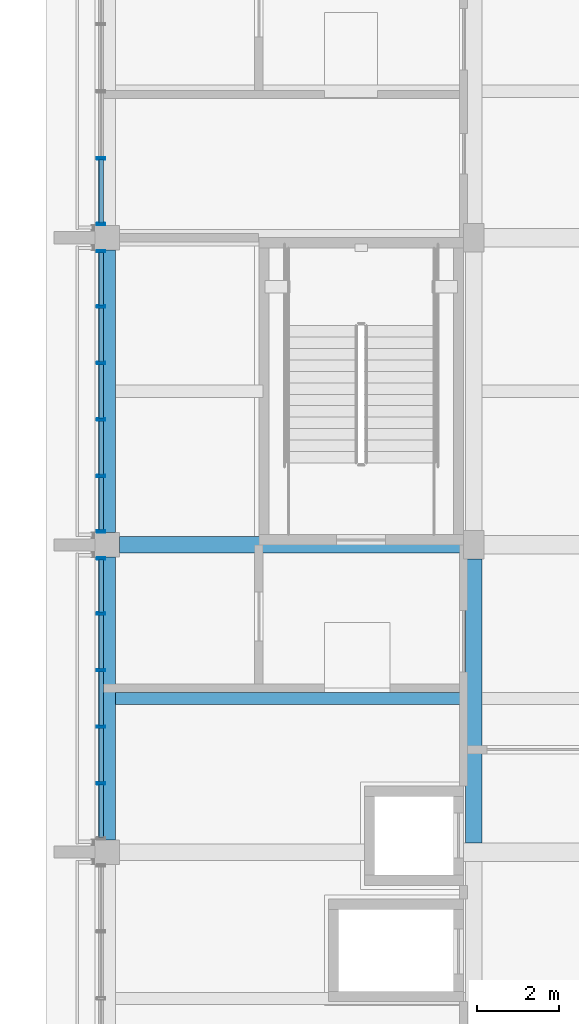
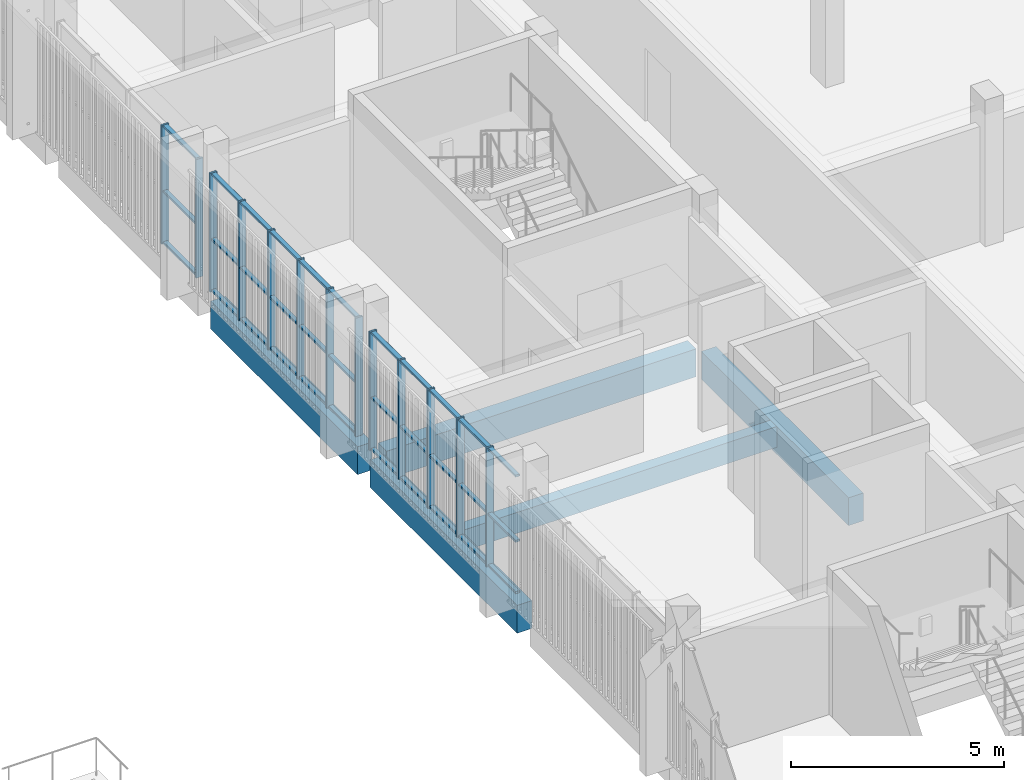
# One storey, part 26 of 98: 46 members, 5 beams, 3 elements without a shape of their own.
"""IFC4 building model written with IfcOpenShell, lengths in metres."""

from ifc_helpers import new_model, si_unit, direction, frame, origin, origin_2d, place, context, subcontext, project, spatial, rectangle, hollow_rectangle, extrude, material, material_profile, profile_set, type_object, element, aggregate, save


model = new_model("IFC4")

# Units and contexts
model_context = context("Model", 3, precision=1e-05, world=origin(), true_north=direction((0.0, 1.0)))
body_context = subcontext(model_context, "Body", "Model", "MODEL_VIEW")
ifc_project = project(units=[si_unit("LENGTHUNIT", "METRE"), si_unit("AREAUNIT", "SQUARE_METRE"), si_unit("VOLUMEUNIT", "CUBIC_METRE"), si_unit("PLANEANGLEUNIT", "RADIAN"), si_unit("MASSUNIT", "GRAM", prefix="KILO")], contexts=[model_context])

# Site, building, storey
site_placement = place(None, origin())
site = spatial("IfcSite", under=ifc_project, at=site_placement, CompositionType="ELEMENT")
building_placement = place(site_placement, origin())
building = spatial("IfcBuilding", under=site, at=building_placement, Name="Sun Court Science Centre", CompositionType="ELEMENT")
storey_placement = place(building_placement, frame((0.0, 0.0, 15.75)))
storey = spatial("IfcBuildingStorey", under=building, at=storey_placement, Name="L03", CompositionType="ELEMENT", Elevation=15.75)

# Curtain wall, members
ifc_material_1 = material(Name="Aluminium EN AW-6063 T6", Category="aluminium")
curtain_wall_type = type_object("IfcCurtainWallType", Name="Laboratory tall bay curtain wall 1500", PredefinedType="NOTDEFINED", material=ifc_material_1)
curtain_wall_1_placement = place(storey_placement, origin())
curtain_wall_1 = element("IfcCurtainWall", 1, at=curtain_wall_1_placement, inside=storey, type_object=curtain_wall_type, Name="Curtain wall V4 W L03 06", PredefinedType="NOTDEFINED")
ifc_material_2 = material(Name="Aluminium EN AW-6063 T6", Category="aluminium")
ifc_material_profile_1 = material_profile(ifc_material_2, hollow_rectangle(XDim=0.06005859375, YDim=0.199951171875, WallThickness=0.0048828125, InnerFilletRadius=0.0048828125, OuterFilletRadius=0.007568359375, at=origin_2d()), Name="AL 60x200x5")
ifc_profile_set_1 = profile_set([ifc_material_profile_1], Name="Aluminium EN AW-6063 T6")
member_type_1 = type_object("IfcMemberType", Name="Curtain wall mullion AL 60x200", PredefinedType="MULLION", material=ifc_profile_set_1)
member_1_placement = place(storey_placement, frame((78.14990234375, 52.679931640625, 0.0), z_axis=(0.0, 0.0, 1.0), x_axis=(0.0, 1.0, 0.0)))
member_1 = element("IfcMember", 2, at=member_1_placement, type_object=member_type_1, Name="CW2-33 mullion 2", PredefinedType="MULLION", context=body_context, shape_type="SweptSolid", body=[
    extrude(hollow_rectangle(XDim=0.06005859375, YDim=0.199951171875, WallThickness=0.0048828125, InnerFilletRadius=0.0048828125, OuterFilletRadius=0.007568359375, at=origin_2d()), origin(), (0.0, 0.0, 1.0), 3.39990234375),
])
member_2_placement = place(storey_placement, frame((78.14990234375, 54.06005859375, 0.0), z_axis=(0.0, 0.0, 1.0), x_axis=(0.0, 1.0, 0.0)))
member_2 = element("IfcMember", 3, at=member_2_placement, type_object=member_type_1, Name="CW2-33 mullion 3", PredefinedType="MULLION", context=body_context, shape_type="SweptSolid", body=[
    extrude(hollow_rectangle(XDim=0.06005859375, YDim=0.199951171875, WallThickness=0.0048828125, InnerFilletRadius=0.0048828125, OuterFilletRadius=0.007568359375, at=origin_2d()), origin(), (0.0, 0.0, 1.0), 3.39990234375),
])
member_3_placement = place(storey_placement, frame((78.14990234375, 55.43994140625, 0.0), z_axis=(0.0, 0.0, 1.0), x_axis=(0.0, 1.0, 0.0)))
member_3 = element("IfcMember", 4, at=member_3_placement, type_object=member_type_1, Name="CW2-33 mullion 4", PredefinedType="MULLION", context=body_context, shape_type="SweptSolid", body=[
    extrude(hollow_rectangle(XDim=0.06005859375, YDim=0.199951171875, WallThickness=0.0048828125, InnerFilletRadius=0.0048828125, OuterFilletRadius=0.007568359375, at=origin_2d()), origin(), (0.0, 0.0, 1.0), 3.39990234375),
])
member_4_placement = place(storey_placement, frame((78.14990234375, 56.820068359375, 0.0), z_axis=(0.0, 0.0, 1.0), x_axis=(0.0, 1.0, 0.0)))
member_4 = element("IfcMember", 5, at=member_4_placement, type_object=member_type_1, Name="CW2-33 mullion 5", PredefinedType="MULLION", context=body_context, shape_type="SweptSolid", body=[
    extrude(hollow_rectangle(XDim=0.06005859375, YDim=0.199951171875, WallThickness=0.0048828125, InnerFilletRadius=0.0048828125, OuterFilletRadius=0.007568359375, at=origin_2d()), origin(), (0.0, 0.0, 1.0), 3.39990234375),
])
member_5_placement = place(storey_placement, frame((78.14990234375, 58.169921875, 0.0), z_axis=(0.0, 0.0, 1.0), x_axis=(0.0, 1.0, 0.0)))
member_5 = element("IfcMember", 6, at=member_5_placement, type_object=member_type_1, Name="CW2-33 mullion 6", PredefinedType="MULLION", context=body_context, shape_type="SweptSolid", body=[
    extrude(hollow_rectangle(XDim=0.06005859375, YDim=0.199951171875, WallThickness=0.0048828125, InnerFilletRadius=0.0048828125, OuterFilletRadius=0.007568359375, at=origin_2d()), origin(), (0.0, 0.0, 1.0), 3.39990234375),
])

curtain_wall_2_placement = place(storey_placement, origin())
curtain_wall_2 = element("IfcCurtainWall", 7, at=curtain_wall_2_placement, inside=storey, type_object=curtain_wall_type, Name="Curtain wall V4 W L03 07", PredefinedType="NOTDEFINED")
member_6_placement = place(storey_placement, frame((78.14990234375, 58.830078125, 0.0), z_axis=(0.0, 0.0, 1.0), x_axis=(0.0, 1.0, 0.0)))
member_6 = element("IfcMember", 8, at=member_6_placement, type_object=member_type_1, Name="CW2-34 mullion 1", PredefinedType="MULLION", context=body_context, shape_type="SweptSolid", body=[
    extrude(hollow_rectangle(XDim=0.06005859375, YDim=0.199951171875, WallThickness=0.0048828125, InnerFilletRadius=0.0048828125, OuterFilletRadius=0.007568359375, at=origin_2d()), origin(), (0.0, 0.0, 1.0), 3.39990234375),
])
member_7_placement = place(storey_placement, frame((78.14990234375, 60.179931640625, 0.0), z_axis=(0.0, 0.0, 1.0), x_axis=(0.0, 1.0, 0.0)))
member_7 = element("IfcMember", 9, at=member_7_placement, type_object=member_type_1, Name="CW2-34 mullion 2", PredefinedType="MULLION", context=body_context, shape_type="SweptSolid", body=[
    extrude(hollow_rectangle(XDim=0.06005859375, YDim=0.199951171875, WallThickness=0.0048828125, InnerFilletRadius=0.0048828125, OuterFilletRadius=0.007568359375, at=origin_2d()), origin(), (0.0, 0.0, 1.0), 3.39990234375),
])
member_8_placement = place(storey_placement, frame((78.14990234375, 61.56005859375, 0.0), z_axis=(0.0, 0.0, 1.0), x_axis=(0.0, 1.0, 0.0)))
member_8 = element("IfcMember", 10, at=member_8_placement, type_object=member_type_1, Name="CW2-34 mullion 3", PredefinedType="MULLION", context=body_context, shape_type="SweptSolid", body=[
    extrude(hollow_rectangle(XDim=0.06005859375, YDim=0.199951171875, WallThickness=0.0048828125, InnerFilletRadius=0.0048828125, OuterFilletRadius=0.007568359375, at=origin_2d()), origin(), (0.0, 0.0, 1.0), 3.39990234375),
])
member_9_placement = place(storey_placement, frame((78.14990234375, 62.93994140625, 0.0), z_axis=(0.0, 0.0, 1.0), x_axis=(0.0, 1.0, 0.0)))
member_9 = element("IfcMember", 11, at=member_9_placement, type_object=member_type_1, Name="CW2-34 mullion 4", PredefinedType="MULLION", context=body_context, shape_type="SweptSolid", body=[
    extrude(hollow_rectangle(XDim=0.06005859375, YDim=0.199951171875, WallThickness=0.0048828125, InnerFilletRadius=0.0048828125, OuterFilletRadius=0.007568359375, at=origin_2d()), origin(), (0.0, 0.0, 1.0), 3.39990234375),
])
member_10_placement = place(storey_placement, frame((78.14990234375, 64.320068359375, 0.0), z_axis=(0.0, 0.0, 1.0), x_axis=(0.0, 1.0, 0.0)))
member_10 = element("IfcMember", 12, at=member_10_placement, type_object=member_type_1, Name="CW2-34 mullion 5", PredefinedType="MULLION", context=body_context, shape_type="SweptSolid", body=[
    extrude(hollow_rectangle(XDim=0.06005859375, YDim=0.199951171875, WallThickness=0.0048828125, InnerFilletRadius=0.0048828125, OuterFilletRadius=0.007568359375, at=origin_2d()), origin(), (0.0, 0.0, 1.0), 3.39990234375),
])
member_11_placement = place(storey_placement, frame((78.14990234375, 65.669921875, 0.0), z_axis=(0.0, 0.0, 1.0), x_axis=(0.0, 1.0, 0.0)))
member_11 = element("IfcMember", 13, at=member_11_placement, type_object=member_type_1, Name="CW2-34 mullion 6", PredefinedType="MULLION", context=body_context, shape_type="SweptSolid", body=[
    extrude(hollow_rectangle(XDim=0.06005859375, YDim=0.199951171875, WallThickness=0.0048828125, InnerFilletRadius=0.0048828125, OuterFilletRadius=0.007568359375, at=origin_2d()), origin(), (0.0, 0.0, 1.0), 3.39990234375),
])

curtain_wall_3_placement = place(storey_placement, origin())
curtain_wall_3 = element("IfcCurtainWall", 14, at=curtain_wall_3_placement, inside=storey, type_object=curtain_wall_type, Name="Curtain wall V4 W L03 08", PredefinedType="NOTDEFINED")
member_12_placement = place(storey_placement, frame((78.14990234375, 66.330078125, 0.0), z_axis=(0.0, 0.0, 1.0), x_axis=(0.0, 1.0, 0.0)))
member_12 = element("IfcMember", 15, at=member_12_placement, type_object=member_type_1, Name="CW2-35 mullion 1", PredefinedType="MULLION", context=body_context, shape_type="SweptSolid", body=[
    extrude(hollow_rectangle(XDim=0.06005859375, YDim=0.199951171875, WallThickness=0.0048828125, InnerFilletRadius=0.0048828125, OuterFilletRadius=0.007568359375, at=origin_2d()), origin(), (0.0, 0.0, 1.0), 3.39990234375),
])
member_13_placement = place(storey_placement, frame((78.14990234375, 67.9375, 0.0), z_axis=(0.0, 0.0, 1.0), x_axis=(0.0, 1.0, 0.0)))
member_13 = element("IfcMember", 16, at=member_13_placement, type_object=member_type_1, Name="CW2-35 mullion 2", PredefinedType="MULLION", context=body_context, shape_type="SweptSolid", body=[
    extrude(hollow_rectangle(XDim=0.06005859375, YDim=0.199951171875, WallThickness=0.0048828125, InnerFilletRadius=0.0048828125, OuterFilletRadius=0.007568359375, at=origin_2d()), origin(), (0.0, 0.0, 1.0), 3.39990234375),
])

# Member
ifc_material_3 = material(Name="Aluminium EN AW-6063 T6", Category="aluminium")
ifc_material_profile_2 = material_profile(ifc_material_3, hollow_rectangle(XDim=0.06005859375, YDim=0.1201171875, WallThickness=0.00390625, InnerFilletRadius=0.00390625, OuterFilletRadius=0.006103515625, at=origin_2d()), Name="AL 60x120x4")
ifc_profile_set_2 = profile_set([ifc_material_profile_2], Name="Aluminium EN AW-6063 T6")
member_type_2 = type_object("IfcMemberType", Name="Curtain wall transom AL 60x120", PredefinedType="USERDEFINED", material=ifc_profile_set_2)
member_14_placement = place(storey_placement, frame((78.14990234375, 51.360107421875, 0.030029296875), z_axis=(0.0, 1.0, 0.0), x_axis=(0.0, 0.0, 1.0)))
member_14 = element("IfcMember", 17, at=member_14_placement, type_object=member_type_2, Name="CW2-33 transom 1.1", ObjectType="TRANSOM", PredefinedType="USERDEFINED", context=body_context, shape_type="SweptSolid", body=[
    extrude(hollow_rectangle(XDim=0.06005859375, YDim=0.1201171875, WallThickness=0.00390625, InnerFilletRadius=0.00390625, OuterFilletRadius=0.006103515625, at=origin_2d()), origin(), (0.0, 0.0, 1.0), 1.289794921875),
])

member_15_placement = place(storey_placement, frame((78.14990234375, 52.7099609375, 0.030029296875), z_axis=(0.0, 1.0, 0.0), x_axis=(0.0, 0.0, 1.0)))
member_15 = element("IfcMember", 18, at=member_15_placement, type_object=member_type_2, Name="CW2-33 transom 2.1", ObjectType="TRANSOM", PredefinedType="USERDEFINED", context=body_context, shape_type="SweptSolid", body=[
    extrude(hollow_rectangle(XDim=0.06005859375, YDim=0.1201171875, WallThickness=0.00390625, InnerFilletRadius=0.00390625, OuterFilletRadius=0.006103515625, at=origin_2d()), origin(), (0.0, 0.0, 1.0), 1.320068359375),
])

member_16_placement = place(storey_placement, frame((78.14990234375, 54.090087890625, 0.030029296875), z_axis=(0.0, 1.0, 0.0), x_axis=(0.0, 0.0, 1.0)))
member_16 = element("IfcMember", 19, at=member_16_placement, type_object=member_type_2, Name="CW2-33 transom 3.1", ObjectType="TRANSOM", PredefinedType="USERDEFINED", context=body_context, shape_type="SweptSolid", body=[
    extrude(hollow_rectangle(XDim=0.06005859375, YDim=0.1201171875, WallThickness=0.00390625, InnerFilletRadius=0.00390625, OuterFilletRadius=0.006103515625, at=origin_2d()), origin(), (0.0, 0.0, 1.0), 1.31982421875),
])

member_17_placement = place(storey_placement, frame((78.14990234375, 55.469970703125, 0.030029296875), z_axis=(0.0, 1.0, 0.0), x_axis=(0.0, 0.0, 1.0)))
member_17 = element("IfcMember", 20, at=member_17_placement, type_object=member_type_2, Name="CW2-33 transom 4.1", ObjectType="TRANSOM", PredefinedType="USERDEFINED", context=body_context, shape_type="SweptSolid", body=[
    extrude(hollow_rectangle(XDim=0.06005859375, YDim=0.1201171875, WallThickness=0.00390625, InnerFilletRadius=0.00390625, OuterFilletRadius=0.006103515625, at=origin_2d()), origin(), (0.0, 0.0, 1.0), 1.320068359375),
])

member_18_placement = place(storey_placement, frame((78.14990234375, 56.85009765625, 0.030029296875), z_axis=(0.0, 1.0, 0.0), x_axis=(0.0, 0.0, 1.0)))
member_18 = element("IfcMember", 21, at=member_18_placement, type_object=member_type_2, Name="CW2-33 transom 5.1", ObjectType="TRANSOM", PredefinedType="USERDEFINED", context=body_context, shape_type="SweptSolid", body=[
    extrude(hollow_rectangle(XDim=0.06005859375, YDim=0.1201171875, WallThickness=0.00390625, InnerFilletRadius=0.00390625, OuterFilletRadius=0.006103515625, at=origin_2d()), origin(), (0.0, 0.0, 1.0), 1.289794921875),
])

member_19_placement = place(storey_placement, frame((78.14990234375, 51.360107421875, 1.5), z_axis=(0.0, 1.0, 0.0), x_axis=(0.0, 0.0, 1.0)))
member_19 = element("IfcMember", 22, at=member_19_placement, type_object=member_type_2, Name="CW2-33 transom 1.2", ObjectType="TRANSOM", PredefinedType="USERDEFINED", context=body_context, shape_type="SweptSolid", body=[
    extrude(hollow_rectangle(XDim=0.06005859375, YDim=0.1201171875, WallThickness=0.00390625, InnerFilletRadius=0.00390625, OuterFilletRadius=0.006103515625, at=origin_2d()), origin(), (0.0, 0.0, 1.0), 1.289794921875),
])

member_20_placement = place(storey_placement, frame((78.14990234375, 52.7099609375, 1.5), z_axis=(0.0, 1.0, 0.0), x_axis=(0.0, 0.0, 1.0)))
member_20 = element("IfcMember", 23, at=member_20_placement, type_object=member_type_2, Name="CW2-33 transom 2.2", ObjectType="TRANSOM", PredefinedType="USERDEFINED", context=body_context, shape_type="SweptSolid", body=[
    extrude(hollow_rectangle(XDim=0.06005859375, YDim=0.1201171875, WallThickness=0.00390625, InnerFilletRadius=0.00390625, OuterFilletRadius=0.006103515625, at=origin_2d()), origin(), (0.0, 0.0, 1.0), 1.320068359375),
])

member_21_placement = place(storey_placement, frame((78.14990234375, 54.090087890625, 1.5), z_axis=(0.0, 1.0, 0.0), x_axis=(0.0, 0.0, 1.0)))
member_21 = element("IfcMember", 24, at=member_21_placement, type_object=member_type_2, Name="CW2-33 transom 3.2", ObjectType="TRANSOM", PredefinedType="USERDEFINED", context=body_context, shape_type="SweptSolid", body=[
    extrude(hollow_rectangle(XDim=0.06005859375, YDim=0.1201171875, WallThickness=0.00390625, InnerFilletRadius=0.00390625, OuterFilletRadius=0.006103515625, at=origin_2d()), origin(), (0.0, 0.0, 1.0), 1.31982421875),
])

member_22_placement = place(storey_placement, frame((78.14990234375, 55.469970703125, 1.5), z_axis=(0.0, 1.0, 0.0), x_axis=(0.0, 0.0, 1.0)))
member_22 = element("IfcMember", 25, at=member_22_placement, type_object=member_type_2, Name="CW2-33 transom 4.2", ObjectType="TRANSOM", PredefinedType="USERDEFINED", context=body_context, shape_type="SweptSolid", body=[
    extrude(hollow_rectangle(XDim=0.06005859375, YDim=0.1201171875, WallThickness=0.00390625, InnerFilletRadius=0.00390625, OuterFilletRadius=0.006103515625, at=origin_2d()), origin(), (0.0, 0.0, 1.0), 1.320068359375),
])

member_23_placement = place(storey_placement, frame((78.14990234375, 56.85009765625, 1.5), z_axis=(0.0, 1.0, 0.0), x_axis=(0.0, 0.0, 1.0)))
member_23 = element("IfcMember", 26, at=member_23_placement, type_object=member_type_2, Name="CW2-33 transom 5.2", ObjectType="TRANSOM", PredefinedType="USERDEFINED", context=body_context, shape_type="SweptSolid", body=[
    extrude(hollow_rectangle(XDim=0.06005859375, YDim=0.1201171875, WallThickness=0.00390625, InnerFilletRadius=0.00390625, OuterFilletRadius=0.006103515625, at=origin_2d()), origin(), (0.0, 0.0, 1.0), 1.289794921875),
])

member_24_placement = place(storey_placement, frame((78.14990234375, 51.360107421875, 3.3701171875), z_axis=(0.0, 1.0, 0.0), x_axis=(0.0, 0.0, 1.0)))
member_24 = element("IfcMember", 27, at=member_24_placement, type_object=member_type_2, Name="CW2-33 transom 1.3", ObjectType="TRANSOM", PredefinedType="USERDEFINED", context=body_context, shape_type="SweptSolid", body=[
    extrude(hollow_rectangle(XDim=0.06005859375, YDim=0.1201171875, WallThickness=0.00390625, InnerFilletRadius=0.00390625, OuterFilletRadius=0.006103515625, at=origin_2d()), origin(), (0.0, 0.0, 1.0), 1.289794921875),
])

member_25_placement = place(storey_placement, frame((78.14990234375, 52.7099609375, 3.3701171875), z_axis=(0.0, 1.0, 0.0), x_axis=(0.0, 0.0, 1.0)))
member_25 = element("IfcMember", 28, at=member_25_placement, type_object=member_type_2, Name="CW2-33 transom 2.3", ObjectType="TRANSOM", PredefinedType="USERDEFINED", context=body_context, shape_type="SweptSolid", body=[
    extrude(hollow_rectangle(XDim=0.06005859375, YDim=0.1201171875, WallThickness=0.00390625, InnerFilletRadius=0.00390625, OuterFilletRadius=0.006103515625, at=origin_2d()), origin(), (0.0, 0.0, 1.0), 1.320068359375),
])

member_26_placement = place(storey_placement, frame((78.14990234375, 54.090087890625, 3.3701171875), z_axis=(0.0, 1.0, 0.0), x_axis=(0.0, 0.0, 1.0)))
member_26 = element("IfcMember", 29, at=member_26_placement, type_object=member_type_2, Name="CW2-33 transom 3.3", ObjectType="TRANSOM", PredefinedType="USERDEFINED", context=body_context, shape_type="SweptSolid", body=[
    extrude(hollow_rectangle(XDim=0.06005859375, YDim=0.1201171875, WallThickness=0.00390625, InnerFilletRadius=0.00390625, OuterFilletRadius=0.006103515625, at=origin_2d()), origin(), (0.0, 0.0, 1.0), 1.31982421875),
])

member_27_placement = place(storey_placement, frame((78.14990234375, 55.469970703125, 3.3701171875), z_axis=(0.0, 1.0, 0.0), x_axis=(0.0, 0.0, 1.0)))
member_27 = element("IfcMember", 30, at=member_27_placement, type_object=member_type_2, Name="CW2-33 transom 4.3", ObjectType="TRANSOM", PredefinedType="USERDEFINED", context=body_context, shape_type="SweptSolid", body=[
    extrude(hollow_rectangle(XDim=0.06005859375, YDim=0.1201171875, WallThickness=0.00390625, InnerFilletRadius=0.00390625, OuterFilletRadius=0.006103515625, at=origin_2d()), origin(), (0.0, 0.0, 1.0), 1.320068359375),
])

member_28_placement = place(storey_placement, frame((78.14990234375, 56.85009765625, 3.3701171875), z_axis=(0.0, 1.0, 0.0), x_axis=(0.0, 0.0, 1.0)))
member_28 = element("IfcMember", 31, at=member_28_placement, type_object=member_type_2, Name="CW2-33 transom 5.3", ObjectType="TRANSOM", PredefinedType="USERDEFINED", context=body_context, shape_type="SweptSolid", body=[
    extrude(hollow_rectangle(XDim=0.06005859375, YDim=0.1201171875, WallThickness=0.00390625, InnerFilletRadius=0.00390625, OuterFilletRadius=0.006103515625, at=origin_2d()), origin(), (0.0, 0.0, 1.0), 1.289794921875),
])

aggregate(curtain_wall_1, [member_1, member_2, member_3, member_4, member_5, member_14, member_15, member_16, member_17, member_18, member_19, member_20, member_21, member_22, member_23, member_24, member_25, member_26, member_27, member_28])

member_29_placement = place(storey_placement, frame((78.14990234375, 58.860107421875, 0.030029296875), z_axis=(0.0, 1.0, 0.0), x_axis=(0.0, 0.0, 1.0)))
member_29 = element("IfcMember", 32, at=member_29_placement, type_object=member_type_2, Name="CW2-34 transom 1.1", ObjectType="TRANSOM", PredefinedType="USERDEFINED", context=body_context, shape_type="SweptSolid", body=[
    extrude(hollow_rectangle(XDim=0.06005859375, YDim=0.1201171875, WallThickness=0.00390625, InnerFilletRadius=0.00390625, OuterFilletRadius=0.006103515625, at=origin_2d()), origin(), (0.0, 0.0, 1.0), 1.289794921875),
])

member_30_placement = place(storey_placement, frame((78.14990234375, 60.2099609375, 0.030029296875), z_axis=(0.0, 1.0, 0.0), x_axis=(0.0, 0.0, 1.0)))
member_30 = element("IfcMember", 33, at=member_30_placement, type_object=member_type_2, Name="CW2-34 transom 2.1", ObjectType="TRANSOM", PredefinedType="USERDEFINED", context=body_context, shape_type="SweptSolid", body=[
    extrude(hollow_rectangle(XDim=0.06005859375, YDim=0.1201171875, WallThickness=0.00390625, InnerFilletRadius=0.00390625, OuterFilletRadius=0.006103515625, at=origin_2d()), origin(), (0.0, 0.0, 1.0), 1.320068359375),
])

member_31_placement = place(storey_placement, frame((78.14990234375, 61.590087890625, 0.030029296875), z_axis=(0.0, 1.0, 0.0), x_axis=(0.0, 0.0, 1.0)))
member_31 = element("IfcMember", 34, at=member_31_placement, type_object=member_type_2, Name="CW2-34 transom 3.1", ObjectType="TRANSOM", PredefinedType="USERDEFINED", context=body_context, shape_type="SweptSolid", body=[
    extrude(hollow_rectangle(XDim=0.06005859375, YDim=0.1201171875, WallThickness=0.00390625, InnerFilletRadius=0.00390625, OuterFilletRadius=0.006103515625, at=origin_2d()), origin(), (0.0, 0.0, 1.0), 1.31982421875),
])

member_32_placement = place(storey_placement, frame((78.14990234375, 62.969970703125, 0.030029296875), z_axis=(0.0, 1.0, 0.0), x_axis=(0.0, 0.0, 1.0)))
member_32 = element("IfcMember", 35, at=member_32_placement, type_object=member_type_2, Name="CW2-34 transom 4.1", ObjectType="TRANSOM", PredefinedType="USERDEFINED", context=body_context, shape_type="SweptSolid", body=[
    extrude(hollow_rectangle(XDim=0.06005859375, YDim=0.1201171875, WallThickness=0.00390625, InnerFilletRadius=0.00390625, OuterFilletRadius=0.006103515625, at=origin_2d()), origin(), (0.0, 0.0, 1.0), 1.320068359375),
])

member_33_placement = place(storey_placement, frame((78.14990234375, 64.35009765625, 0.030029296875), z_axis=(0.0, 1.0, 0.0), x_axis=(0.0, 0.0, 1.0)))
member_33 = element("IfcMember", 36, at=member_33_placement, type_object=member_type_2, Name="CW2-34 transom 5.1", ObjectType="TRANSOM", PredefinedType="USERDEFINED", context=body_context, shape_type="SweptSolid", body=[
    extrude(hollow_rectangle(XDim=0.06005859375, YDim=0.1201171875, WallThickness=0.00390625, InnerFilletRadius=0.00390625, OuterFilletRadius=0.006103515625, at=origin_2d()), origin(), (0.0, 0.0, 1.0), 1.289794921875),
])

member_34_placement = place(storey_placement, frame((78.14990234375, 58.860107421875, 1.5), z_axis=(0.0, 1.0, 0.0), x_axis=(0.0, 0.0, 1.0)))
member_34 = element("IfcMember", 37, at=member_34_placement, type_object=member_type_2, Name="CW2-34 transom 1.2", ObjectType="TRANSOM", PredefinedType="USERDEFINED", context=body_context, shape_type="SweptSolid", body=[
    extrude(hollow_rectangle(XDim=0.06005859375, YDim=0.1201171875, WallThickness=0.00390625, InnerFilletRadius=0.00390625, OuterFilletRadius=0.006103515625, at=origin_2d()), origin(), (0.0, 0.0, 1.0), 1.289794921875),
])

member_35_placement = place(storey_placement, frame((78.14990234375, 60.2099609375, 1.5), z_axis=(0.0, 1.0, 0.0), x_axis=(0.0, 0.0, 1.0)))
member_35 = element("IfcMember", 38, at=member_35_placement, type_object=member_type_2, Name="CW2-34 transom 2.2", ObjectType="TRANSOM", PredefinedType="USERDEFINED", context=body_context, shape_type="SweptSolid", body=[
    extrude(hollow_rectangle(XDim=0.06005859375, YDim=0.1201171875, WallThickness=0.00390625, InnerFilletRadius=0.00390625, OuterFilletRadius=0.006103515625, at=origin_2d()), origin(), (0.0, 0.0, 1.0), 1.320068359375),
])

member_36_placement = place(storey_placement, frame((78.14990234375, 61.590087890625, 1.5), z_axis=(0.0, 1.0, 0.0), x_axis=(0.0, 0.0, 1.0)))
member_36 = element("IfcMember", 39, at=member_36_placement, type_object=member_type_2, Name="CW2-34 transom 3.2", ObjectType="TRANSOM", PredefinedType="USERDEFINED", context=body_context, shape_type="SweptSolid", body=[
    extrude(hollow_rectangle(XDim=0.06005859375, YDim=0.1201171875, WallThickness=0.00390625, InnerFilletRadius=0.00390625, OuterFilletRadius=0.006103515625, at=origin_2d()), origin(), (0.0, 0.0, 1.0), 1.31982421875),
])

member_37_placement = place(storey_placement, frame((78.14990234375, 62.969970703125, 1.5), z_axis=(0.0, 1.0, 0.0), x_axis=(0.0, 0.0, 1.0)))
member_37 = element("IfcMember", 40, at=member_37_placement, type_object=member_type_2, Name="CW2-34 transom 4.2", ObjectType="TRANSOM", PredefinedType="USERDEFINED", context=body_context, shape_type="SweptSolid", body=[
    extrude(hollow_rectangle(XDim=0.06005859375, YDim=0.1201171875, WallThickness=0.00390625, InnerFilletRadius=0.00390625, OuterFilletRadius=0.006103515625, at=origin_2d()), origin(), (0.0, 0.0, 1.0), 1.320068359375),
])

member_38_placement = place(storey_placement, frame((78.14990234375, 64.35009765625, 1.5), z_axis=(0.0, 1.0, 0.0), x_axis=(0.0, 0.0, 1.0)))
member_38 = element("IfcMember", 41, at=member_38_placement, type_object=member_type_2, Name="CW2-34 transom 5.2", ObjectType="TRANSOM", PredefinedType="USERDEFINED", context=body_context, shape_type="SweptSolid", body=[
    extrude(hollow_rectangle(XDim=0.06005859375, YDim=0.1201171875, WallThickness=0.00390625, InnerFilletRadius=0.00390625, OuterFilletRadius=0.006103515625, at=origin_2d()), origin(), (0.0, 0.0, 1.0), 1.289794921875),
])

member_39_placement = place(storey_placement, frame((78.14990234375, 58.860107421875, 3.3701171875), z_axis=(0.0, 1.0, 0.0), x_axis=(0.0, 0.0, 1.0)))
member_39 = element("IfcMember", 42, at=member_39_placement, type_object=member_type_2, Name="CW2-34 transom 1.3", ObjectType="TRANSOM", PredefinedType="USERDEFINED", context=body_context, shape_type="SweptSolid", body=[
    extrude(hollow_rectangle(XDim=0.06005859375, YDim=0.1201171875, WallThickness=0.00390625, InnerFilletRadius=0.00390625, OuterFilletRadius=0.006103515625, at=origin_2d()), origin(), (0.0, 0.0, 1.0), 1.289794921875),
])

member_40_placement = place(storey_placement, frame((78.14990234375, 60.2099609375, 3.3701171875), z_axis=(0.0, 1.0, 0.0), x_axis=(0.0, 0.0, 1.0)))
member_40 = element("IfcMember", 43, at=member_40_placement, type_object=member_type_2, Name="CW2-34 transom 2.3", ObjectType="TRANSOM", PredefinedType="USERDEFINED", context=body_context, shape_type="SweptSolid", body=[
    extrude(hollow_rectangle(XDim=0.06005859375, YDim=0.1201171875, WallThickness=0.00390625, InnerFilletRadius=0.00390625, OuterFilletRadius=0.006103515625, at=origin_2d()), origin(), (0.0, 0.0, 1.0), 1.320068359375),
])

member_41_placement = place(storey_placement, frame((78.14990234375, 61.590087890625, 3.3701171875), z_axis=(0.0, 1.0, 0.0), x_axis=(0.0, 0.0, 1.0)))
member_41 = element("IfcMember", 44, at=member_41_placement, type_object=member_type_2, Name="CW2-34 transom 3.3", ObjectType="TRANSOM", PredefinedType="USERDEFINED", context=body_context, shape_type="SweptSolid", body=[
    extrude(hollow_rectangle(XDim=0.06005859375, YDim=0.1201171875, WallThickness=0.00390625, InnerFilletRadius=0.00390625, OuterFilletRadius=0.006103515625, at=origin_2d()), origin(), (0.0, 0.0, 1.0), 1.31982421875),
])

member_42_placement = place(storey_placement, frame((78.14990234375, 62.969970703125, 3.3701171875), z_axis=(0.0, 1.0, 0.0), x_axis=(0.0, 0.0, 1.0)))
member_42 = element("IfcMember", 45, at=member_42_placement, type_object=member_type_2, Name="CW2-34 transom 4.3", ObjectType="TRANSOM", PredefinedType="USERDEFINED", context=body_context, shape_type="SweptSolid", body=[
    extrude(hollow_rectangle(XDim=0.06005859375, YDim=0.1201171875, WallThickness=0.00390625, InnerFilletRadius=0.00390625, OuterFilletRadius=0.006103515625, at=origin_2d()), origin(), (0.0, 0.0, 1.0), 1.320068359375),
])

member_43_placement = place(storey_placement, frame((78.14990234375, 64.35009765625, 3.3701171875), z_axis=(0.0, 1.0, 0.0), x_axis=(0.0, 0.0, 1.0)))
member_43 = element("IfcMember", 46, at=member_43_placement, type_object=member_type_2, Name="CW2-34 transom 5.3", ObjectType="TRANSOM", PredefinedType="USERDEFINED", context=body_context, shape_type="SweptSolid", body=[
    extrude(hollow_rectangle(XDim=0.06005859375, YDim=0.1201171875, WallThickness=0.00390625, InnerFilletRadius=0.00390625, OuterFilletRadius=0.006103515625, at=origin_2d()), origin(), (0.0, 0.0, 1.0), 1.289794921875),
])

aggregate(curtain_wall_2, [member_6, member_7, member_8, member_9, member_10, member_11, member_29, member_30, member_31, member_32, member_33, member_34, member_35, member_36, member_37, member_38, member_39, member_40, member_41, member_42, member_43])

member_44_placement = place(storey_placement, frame((78.14990234375, 66.360107421875, 0.030029296875), z_axis=(0.0, 1.0, 0.0), x_axis=(0.0, 0.0, 1.0)))
member_44 = element("IfcMember", 47, at=member_44_placement, type_object=member_type_2, Name="CW2-35 transom 1.1", ObjectType="TRANSOM", PredefinedType="USERDEFINED", context=body_context, shape_type="SweptSolid", body=[
    extrude(hollow_rectangle(XDim=0.06005859375, YDim=0.1201171875, WallThickness=0.00390625, InnerFilletRadius=0.00390625, OuterFilletRadius=0.006103515625, at=origin_2d()), origin(), (0.0, 0.0, 1.0), 1.54736328125),
])

member_45_placement = place(storey_placement, frame((78.14990234375, 66.360107421875, 1.5), z_axis=(0.0, 1.0, 0.0), x_axis=(0.0, 0.0, 1.0)))
member_45 = element("IfcMember", 48, at=member_45_placement, type_object=member_type_2, Name="CW2-35 transom 1.2", ObjectType="TRANSOM", PredefinedType="USERDEFINED", context=body_context, shape_type="SweptSolid", body=[
    extrude(hollow_rectangle(XDim=0.06005859375, YDim=0.1201171875, WallThickness=0.00390625, InnerFilletRadius=0.00390625, OuterFilletRadius=0.006103515625, at=origin_2d()), origin(), (0.0, 0.0, 1.0), 1.54736328125),
])

member_46_placement = place(storey_placement, frame((78.14990234375, 66.360107421875, 3.3701171875), z_axis=(0.0, 1.0, 0.0), x_axis=(0.0, 0.0, 1.0)))
member_46 = element("IfcMember", 49, at=member_46_placement, type_object=member_type_2, Name="CW2-35 transom 1.3", ObjectType="TRANSOM", PredefinedType="USERDEFINED", context=body_context, shape_type="SweptSolid", body=[
    extrude(hollow_rectangle(XDim=0.06005859375, YDim=0.1201171875, WallThickness=0.00390625, InnerFilletRadius=0.00390625, OuterFilletRadius=0.006103515625, at=origin_2d()), origin(), (0.0, 0.0, 1.0), 1.54736328125),
])

aggregate(curtain_wall_3, [member_12, member_13, member_44, member_45, member_46])

# Beams
ifc_material_4 = material(Name="Concrete C25/30", Category="concrete")
ifc_material_profile_3 = material_profile(ifc_material_4, rectangle(XDim=0.39990234375, YDim=0.800048828125, at=origin_2d()), Name="RC 400x800")
ifc_profile_set_3 = profile_set([ifc_material_profile_3], Name="Concrete C25/30")
beam_type_1 = type_object("IfcBeamType", Name="RC girder 400x800", PredefinedType="BEAM", material=ifc_profile_set_3)
beam_1_placement = place(storey_placement, frame((78.60009765625, 58.5, -0.699951171875), z_axis=(1.0, 0.0, 0.0), x_axis=(0.0, 1.0, 0.0)))
element("IfcBeam", 50, at=beam_1_placement, inside=storey, type_object=beam_type_1, Name="Girder L03 row 8", PredefinedType="BEAM", context=body_context, shape_type="SweptSolid", body=[
    extrude(rectangle(XDim=0.39990234375, YDim=0.800048828125, at=origin_2d()), origin(), (0.0, 0.0, 1.0), 8.39990234375),
])
for number, where, z_axis, x_axis, name in (
    (51, (78.300048828125, 51.300048828125, -0.699951171875), (0.0, 1.0, 0.0), (-1.0, 0.0, 0.0), "Girder L03 line 1"),
    (52, (78.300048828125, 58.800048828125, -0.699951171875), (0.0, 1.0, 0.0), (-1.0, 0.0, 0.0), "Girder L03 line 1"),
):
    element("IfcBeam", number, at=place(storey_placement, frame(where, z_axis=z_axis, x_axis=x_axis)), inside=storey, type_object=beam_type_1, Name=name, PredefinedType="BEAM", context=body_context, shape_type="SweptSolid", body=[
        extrude(rectangle(XDim=0.39990234375, YDim=0.800048828125, at=origin_2d()), origin(), (0.0, 0.0, 1.0), 6.89990234375),
    ])
beam_2_placement = place(storey_placement, frame((87.25, 51.22509765625, -0.699951171875), z_axis=(0.0, 1.0, 0.0), x_axis=(-1.0, 0.0, 0.0)))
element("IfcBeam", 53, at=beam_2_placement, inside=storey, type_object=beam_type_1, Name="Girder L03 line 2", PredefinedType="BEAM", context=body_context, shape_type="SweptSolid", body=[
    extrude(rectangle(XDim=0.39990234375, YDim=0.800048828125, at=origin_2d()), origin(), (0.0, 0.0, 1.0), 6.9248046875),
])
ifc_material_5 = material(Name="Concrete C25/30", Category="concrete")
ifc_material_profile_4 = material_profile(ifc_material_5, rectangle(XDim=0.300048828125, YDim=0.60009765625, at=origin_2d()), Name="RC 300x600")
ifc_profile_set_4 = profile_set([ifc_material_profile_4], Name="Concrete C25/30")
beam_type_2 = type_object("IfcBeamType", Name="RC joist 300x600", PredefinedType="JOIST", material=ifc_profile_set_4)
beam_3_placement = place(storey_placement, frame((78.5, 54.75, -0.60009765625), z_axis=(1.0, 0.0, 0.0), x_axis=(0.0, 1.0, 0.0)))
element("IfcBeam", 54, at=beam_3_placement, inside=storey, type_object=beam_type_2, Name="Joist L03", PredefinedType="JOIST", context=body_context, shape_type="SweptSolid", body=[
    extrude(rectangle(XDim=0.300048828125, YDim=0.60009765625, at=origin_2d()), origin(), (0.0, 0.0, 1.0), 8.550048828125),
])

save(model, "model.ifc")
